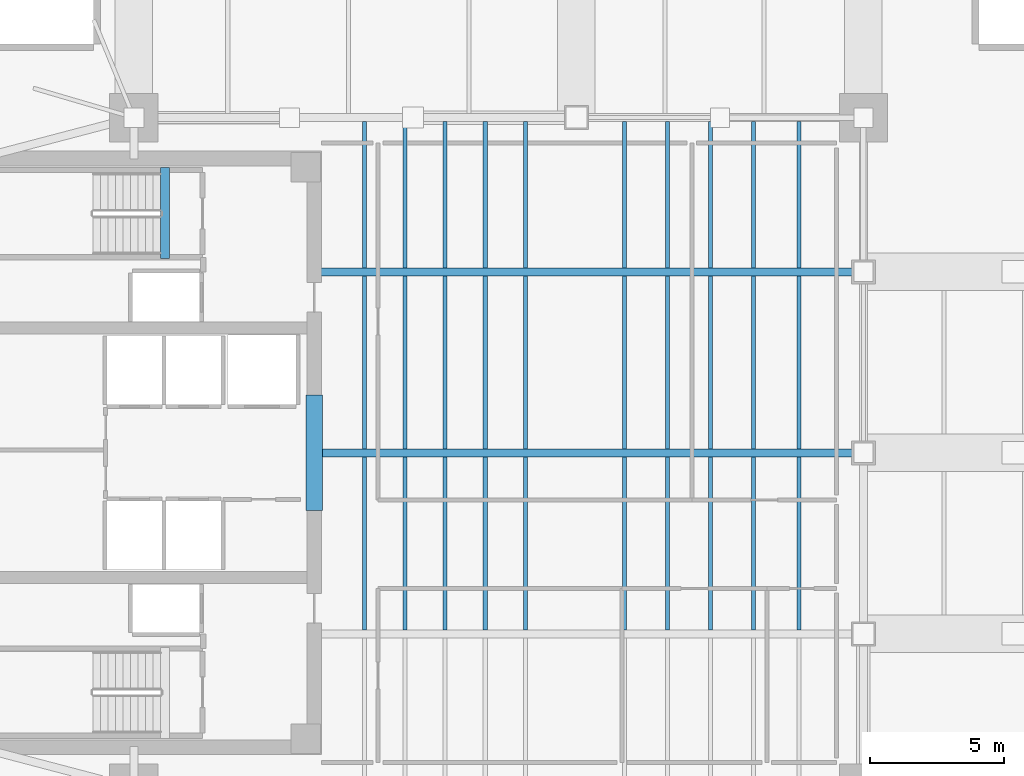
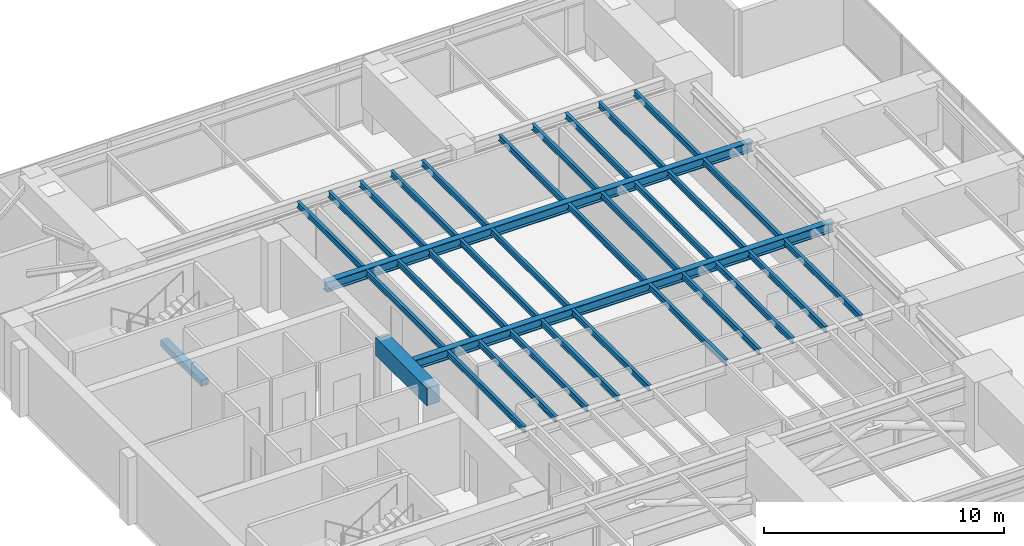
# One storey, part 3 of 13: 34 beams.
"""IFC4 building model written with IfcOpenShell, lengths in metres."""

from ifc_helpers import new_model, si_unit, direction, frame, origin, origin_2d, place, context, subcontext, project, spatial, rectangle, i_section, extrude, material, material_profile, profile_set, type_object, element, save


model = new_model("IFC4")

# Units and contexts
model_context = context("Model", 3, precision=1e-05, world=origin(), true_north=direction((0.0, 1.0)))
body_context = subcontext(model_context, "Body", "Model", "MODEL_VIEW")
ifc_project = project(units=[si_unit("LENGTHUNIT", "METRE"), si_unit("AREAUNIT", "SQUARE_METRE"), si_unit("VOLUMEUNIT", "CUBIC_METRE"), si_unit("PLANEANGLEUNIT", "RADIAN"), si_unit("MASSUNIT", "GRAM", prefix="KILO")], contexts=[model_context])

# Site, building, storey
site_placement = place(None, origin())
site = spatial("IfcSite", under=ifc_project, at=site_placement, CompositionType="ELEMENT")
building_placement = place(site_placement, origin())
building = spatial("IfcBuilding", under=site, at=building_placement, Name="Kinhvarn Gate Tower", CompositionType="ELEMENT")
storey_placement = place(building_placement, frame((0.0, 0.0, 241.300048828125)))
storey = spatial("IfcBuildingStorey", under=building, at=storey_placement, Name="L64", CompositionType="ELEMENT", Elevation=241.300048828125)

# Beams
ifc_material_1 = material(Name="Concrete C60/75", Category="concrete")
ifc_material_profile_1 = material_profile(ifc_material_1, rectangle(XDim=0.60009765625, YDim=0.89990234375, at=origin_2d()), Name="RC 600x900")
ifc_profile_set_1 = profile_set([ifc_material_profile_1], Name="Concrete C60/75")
beam_type_1 = type_object("IfcBeamType", Name="BM-CB-900", PredefinedType="LINTEL", material=ifc_profile_set_1)
beam_1_placement = place(storey_placement, frame((17.72509765625, 23.10009765625, 2.93994140625), z_axis=(0.0, 1.0, 0.0), x_axis=(-1.0, 0.0, 0.0)))
element("IfcBeam", 1, at=beam_1_placement, inside=storey, type_object=beam_type_1, Name="Core East Portal Coupling Beam L64", PredefinedType="LINTEL", context=body_context, shape_type="SweptSolid", body=[
    extrude(rectangle(XDim=0.60009765625, YDim=0.89990234375, at=origin_2d()), origin(), (0.0, 0.0, 1.0), 4.2998046875),
])
ifc_material_2 = material(Name="Concrete C50/60", Category="concrete")
ifc_material_profile_2 = material_profile(ifc_material_2, rectangle(XDim=0.340087890625, YDim=0.320068359375, at=origin_2d()), Name="RC 340x320")
ifc_profile_set_2 = profile_set([ifc_material_profile_2], Name="Concrete C50/60")
beam_type_2 = type_object("IfcBeamType", Name="BM-LND-500", PredefinedType="BEAM", material=ifc_profile_set_2)
beam_2_placement = place(storey_placement, frame((12.1650390625, 32.5, -0.16015625), z_axis=(0.0, 1.0, 0.0), x_axis=(-1.0, 0.0, 0.0)))
element("IfcBeam", 2, at=beam_2_placement, inside=storey, type_object=beam_type_2, Name="Stair ST2 Landing Nosing Beam (L64)", PredefinedType="BEAM", context=body_context, shape_type="SweptSolid", body=[
    extrude(rectangle(XDim=0.340087890625, YDim=0.320068359375, at=origin_2d()), origin(), (0.0, 0.0, 1.0), 3.39990234375),
])
ifc_material_3 = material(Name="Steel S355", Category="steel")
ifc_material_profile_3 = material_profile(ifc_material_3, i_section(OverallWidth=0.300048828125, OverallDepth=0.5, WebThickness=0.014404296875, FlangeThickness=0.028076171875, at=origin_2d()), Name="HEB 500")
ifc_profile_set_3 = profile_set([ifc_material_profile_3], Name="Steel S355")
beam_type_3 = type_object("IfcBeamType", Name="STL-HEB500", PredefinedType="BEAM", material=ifc_profile_set_3)
beam_3_placement = place(storey_placement, frame((18.02490234375, 25.25, 3.139892578125), z_axis=(1.0, 0.0, 0.0), x_axis=(0.0, 1.0, 0.0)))
element("IfcBeam", 3, at=beam_3_placement, inside=storey, type_object=beam_type_3, Name="Floor Beam PG-14 (L64 EW1-Y25)", PredefinedType="BEAM", context=body_context, shape_type="SweptSolid", body=[
    extrude(i_section(OverallWidth=0.300048828125, OverallDepth=0.5, WebThickness=0.014404296875, FlangeThickness=0.028076171875, at=origin_2d()), origin(), (0.0, 0.0, 1.0), 20.175048828125),
])
beam_4_placement = place(storey_placement, frame((17.64990234375, 32.0, 3.139892578125), z_axis=(1.0, 0.0, 0.0), x_axis=(0.0, 1.0, 0.0)))
element("IfcBeam", 4, at=beam_4_placement, inside=storey, type_object=beam_type_3, Name="Floor Beam PG-14 (L64 EW1-Y32)", PredefinedType="BEAM", context=body_context, shape_type="SweptSolid", body=[
    extrude(i_section(OverallWidth=0.300048828125, OverallDepth=0.5, WebThickness=0.014404296875, FlangeThickness=0.028076171875, at=origin_2d()), origin(), (0.0, 0.0, 1.0), 20.550048828125),
])
ifc_material_profile_4 = material_profile(ifc_material_3, i_section(OverallWidth=0.14990234375, OverallDepth=0.300048828125, WebThickness=0.007080078125, FlangeThickness=0.0107421875, at=origin_2d()), Name="IPE 300")
ifc_profile_set_4 = profile_set([ifc_material_profile_4], Name="Steel S355")
beam_type_4 = type_object("IfcBeamType", Name="STL-IPE300", PredefinedType="JOIST", material=ifc_profile_set_4)
for number, where, z_axis, x_axis, name in (
    (5, (19.60009765625, 18.64990234375, 3.239990234375), (0.0, 1.0, 0.0), (-1.0, 0.0, 0.0), "Floor Joist SB-02 (L64 JC-X196-1)"),
    (6, (19.60009765625, 25.39990234375, 3.239990234375), (0.0, 1.0, 0.0), (-1.0, 0.0, 0.0), "Floor Joist SB-02 (L64 JC-X196-2)"),
):
    element("IfcBeam", number, at=place(storey_placement, frame(where, z_axis=z_axis, x_axis=x_axis)), inside=storey, type_object=beam_type_4, Name=name, PredefinedType="JOIST", context=body_context, shape_type="SweptSolid", body=[
        extrude(i_section(OverallWidth=0.14990234375, OverallDepth=0.300048828125, WebThickness=0.007080078125, FlangeThickness=0.0107421875, at=origin_2d()), origin(), (0.0, 0.0, 1.0), 6.4501953125),
    ])
beam_5_placement = place(storey_placement, frame((19.60009765625, 32.14990234375, 3.239990234375), z_axis=(0.0, 1.0, 0.0), x_axis=(-1.0, 0.0, 0.0)))
element("IfcBeam", 7, at=beam_5_placement, inside=storey, type_object=beam_type_4, Name="Floor Joist SB-02 (L64 JC-X196-3)", PredefinedType="JOIST", context=body_context, shape_type="SweptSolid", body=[
    extrude(i_section(OverallWidth=0.14990234375, OverallDepth=0.300048828125, WebThickness=0.007080078125, FlangeThickness=0.0107421875, at=origin_2d()), origin(), (0.0, 0.0, 1.0), 5.4501953125),
])
for number, where, z_axis, x_axis, name in (
    (8, (21.10009765625, 18.64990234375, 3.239990234375), (0.0, 1.0, 0.0), (-1.0, 0.0, 0.0), "Floor Joist SB-02 (L64 JC-X211-1)"),
    (9, (21.10009765625, 25.39990234375, 3.239990234375), (0.0, 1.0, 0.0), (-1.0, 0.0, 0.0), "Floor Joist SB-02 (L64 JC-X211-2)"),
):
    element("IfcBeam", number, at=place(storey_placement, frame(where, z_axis=z_axis, x_axis=x_axis)), inside=storey, type_object=beam_type_4, Name=name, PredefinedType="JOIST", context=body_context, shape_type="SweptSolid", body=[
        extrude(i_section(OverallWidth=0.14990234375, OverallDepth=0.300048828125, WebThickness=0.007080078125, FlangeThickness=0.0107421875, at=origin_2d()), origin(), (0.0, 0.0, 1.0), 6.4501953125),
    ])
beam_6_placement = place(storey_placement, frame((21.10009765625, 32.14990234375, 3.239990234375), z_axis=(0.0, 1.0, 0.0), x_axis=(-1.0, 0.0, 0.0)))
element("IfcBeam", 10, at=beam_6_placement, inside=storey, type_object=beam_type_4, Name="Floor Joist SB-02 (L64 JC-X211-3)", PredefinedType="JOIST", context=body_context, shape_type="SweptSolid", body=[
    extrude(i_section(OverallWidth=0.14990234375, OverallDepth=0.300048828125, WebThickness=0.007080078125, FlangeThickness=0.0107421875, at=origin_2d()), origin(), (0.0, 0.0, 1.0), 5.4501953125),
])
for number, where, z_axis, x_axis, name in (
    (11, (22.60009765625, 18.64990234375, 3.239990234375), (0.0, 1.0, 0.0), (-1.0, 0.0, 0.0), "Floor Joist SB-02 (L64 JC-X226-1)"),
    (12, (22.60009765625, 25.39990234375, 3.239990234375), (0.0, 1.0, 0.0), (-1.0, 0.0, 0.0), "Floor Joist SB-02 (L64 JC-X226-2)"),
):
    element("IfcBeam", number, at=place(storey_placement, frame(where, z_axis=z_axis, x_axis=x_axis)), inside=storey, type_object=beam_type_4, Name=name, PredefinedType="JOIST", context=body_context, shape_type="SweptSolid", body=[
        extrude(i_section(OverallWidth=0.14990234375, OverallDepth=0.300048828125, WebThickness=0.007080078125, FlangeThickness=0.0107421875, at=origin_2d()), origin(), (0.0, 0.0, 1.0), 6.4501953125),
    ])
beam_7_placement = place(storey_placement, frame((22.60009765625, 32.14990234375, 3.239990234375), z_axis=(0.0, 1.0, 0.0), x_axis=(-1.0, 0.0, 0.0)))
element("IfcBeam", 13, at=beam_7_placement, inside=storey, type_object=beam_type_4, Name="Floor Joist SB-02 (L64 JC-X226-3)", PredefinedType="JOIST", context=body_context, shape_type="SweptSolid", body=[
    extrude(i_section(OverallWidth=0.14990234375, OverallDepth=0.300048828125, WebThickness=0.007080078125, FlangeThickness=0.0107421875, at=origin_2d()), origin(), (0.0, 0.0, 1.0), 5.4501953125),
])
for number, where, z_axis, x_axis, name in (
    (14, (24.10009765625, 18.64990234375, 3.239990234375), (0.0, 1.0, 0.0), (-1.0, 0.0, 0.0), "Floor Joist SB-02 (L64 JC-X241-1)"),
    (15, (24.10009765625, 25.39990234375, 3.239990234375), (0.0, 1.0, 0.0), (-1.0, 0.0, 0.0), "Floor Joist SB-02 (L64 JC-X241-2)"),
):
    element("IfcBeam", number, at=place(storey_placement, frame(where, z_axis=z_axis, x_axis=x_axis)), inside=storey, type_object=beam_type_4, Name=name, PredefinedType="JOIST", context=body_context, shape_type="SweptSolid", body=[
        extrude(i_section(OverallWidth=0.14990234375, OverallDepth=0.300048828125, WebThickness=0.007080078125, FlangeThickness=0.0107421875, at=origin_2d()), origin(), (0.0, 0.0, 1.0), 6.4501953125),
    ])
beam_8_placement = place(storey_placement, frame((24.10009765625, 32.14990234375, 3.239990234375), z_axis=(0.0, 1.0, 0.0), x_axis=(-1.0, 0.0, 0.0)))
element("IfcBeam", 16, at=beam_8_placement, inside=storey, type_object=beam_type_4, Name="Floor Joist SB-02 (L64 JC-X241-3)", PredefinedType="JOIST", context=body_context, shape_type="SweptSolid", body=[
    extrude(i_section(OverallWidth=0.14990234375, OverallDepth=0.300048828125, WebThickness=0.007080078125, FlangeThickness=0.0107421875, at=origin_2d()), origin(), (0.0, 0.0, 1.0), 5.4501953125),
])
for number, where, z_axis, x_axis, name in (
    (17, (25.60009765625, 18.64990234375, 3.239990234375), (0.0, 1.0, 0.0), (-1.0, 0.0, 0.0), "Floor Joist SB-02 (L64 JC-X256-1)"),
    (18, (25.60009765625, 25.39990234375, 3.239990234375), (0.0, 1.0, 0.0), (-1.0, 0.0, 0.0), "Floor Joist SB-02 (L64 JC-X256-2)"),
):
    element("IfcBeam", number, at=place(storey_placement, frame(where, z_axis=z_axis, x_axis=x_axis)), inside=storey, type_object=beam_type_4, Name=name, PredefinedType="JOIST", context=body_context, shape_type="SweptSolid", body=[
        extrude(i_section(OverallWidth=0.14990234375, OverallDepth=0.300048828125, WebThickness=0.007080078125, FlangeThickness=0.0107421875, at=origin_2d()), origin(), (0.0, 0.0, 1.0), 6.4501953125),
    ])
beam_9_placement = place(storey_placement, frame((25.60009765625, 32.14990234375, 3.239990234375), z_axis=(0.0, 1.0, 0.0), x_axis=(-1.0, 0.0, 0.0)))
element("IfcBeam", 19, at=beam_9_placement, inside=storey, type_object=beam_type_4, Name="Floor Joist SB-02 (L64 JC-X256-3)", PredefinedType="JOIST", context=body_context, shape_type="SweptSolid", body=[
    extrude(i_section(OverallWidth=0.14990234375, OverallDepth=0.300048828125, WebThickness=0.007080078125, FlangeThickness=0.0107421875, at=origin_2d()), origin(), (0.0, 0.0, 1.0), 5.4501953125),
])
for number, where, z_axis, x_axis, name in (
    (20, (29.300048828125, 18.64990234375, 3.239990234375), (0.0, 1.0, 0.0), (-1.0, 0.0, 0.0), "Floor Joist SB-02 (L64 JC-X293-1)"),
    (21, (29.300048828125, 25.39990234375, 3.239990234375), (0.0, 1.0, 0.0), (-1.0, 0.0, 0.0), "Floor Joist SB-02 (L64 JC-X293-2)"),
):
    element("IfcBeam", number, at=place(storey_placement, frame(where, z_axis=z_axis, x_axis=x_axis)), inside=storey, type_object=beam_type_4, Name=name, PredefinedType="JOIST", context=body_context, shape_type="SweptSolid", body=[
        extrude(i_section(OverallWidth=0.14990234375, OverallDepth=0.300048828125, WebThickness=0.007080078125, FlangeThickness=0.0107421875, at=origin_2d()), origin(), (0.0, 0.0, 1.0), 6.4501953125),
    ])
beam_10_placement = place(storey_placement, frame((29.300048828125, 32.14990234375, 3.239990234375), z_axis=(0.0, 1.0, 0.0), x_axis=(-1.0, 0.0, 0.0)))
element("IfcBeam", 22, at=beam_10_placement, inside=storey, type_object=beam_type_4, Name="Floor Joist SB-02 (L64 JC-X293-3)", PredefinedType="JOIST", context=body_context, shape_type="SweptSolid", body=[
    extrude(i_section(OverallWidth=0.14990234375, OverallDepth=0.300048828125, WebThickness=0.007080078125, FlangeThickness=0.0107421875, at=origin_2d()), origin(), (0.0, 0.0, 1.0), 5.4501953125),
])
for number, where, z_axis, x_axis, name in (
    (23, (30.89990234375, 18.64990234375, 3.239990234375), (0.0, 1.0, 0.0), (-1.0, 0.0, 0.0), "Floor Joist SB-02 (L64 JC-X309-1)"),
    (24, (30.89990234375, 25.39990234375, 3.239990234375), (0.0, 1.0, 0.0), (-1.0, 0.0, 0.0), "Floor Joist SB-02 (L64 JC-X309-2)"),
):
    element("IfcBeam", number, at=place(storey_placement, frame(where, z_axis=z_axis, x_axis=x_axis)), inside=storey, type_object=beam_type_4, Name=name, PredefinedType="JOIST", context=body_context, shape_type="SweptSolid", body=[
        extrude(i_section(OverallWidth=0.14990234375, OverallDepth=0.300048828125, WebThickness=0.007080078125, FlangeThickness=0.0107421875, at=origin_2d()), origin(), (0.0, 0.0, 1.0), 6.4501953125),
    ])
beam_11_placement = place(storey_placement, frame((30.89990234375, 32.14990234375, 3.239990234375), z_axis=(0.0, 1.0, 0.0), x_axis=(-1.0, 0.0, 0.0)))
element("IfcBeam", 25, at=beam_11_placement, inside=storey, type_object=beam_type_4, Name="Floor Joist SB-02 (L64 JC-X309-3)", PredefinedType="JOIST", context=body_context, shape_type="SweptSolid", body=[
    extrude(i_section(OverallWidth=0.14990234375, OverallDepth=0.300048828125, WebThickness=0.007080078125, FlangeThickness=0.0107421875, at=origin_2d()), origin(), (0.0, 0.0, 1.0), 5.4501953125),
])
for number, where, z_axis, x_axis, name in (
    (26, (32.5, 18.64990234375, 3.239990234375), (0.0, 1.0, 0.0), (-1.0, 0.0, 0.0), "Floor Joist SB-02 (L64 JC-X325-1)"),
    (27, (32.5, 25.39990234375, 3.239990234375), (0.0, 1.0, 0.0), (-1.0, 0.0, 0.0), "Floor Joist SB-02 (L64 JC-X325-2)"),
):
    element("IfcBeam", number, at=place(storey_placement, frame(where, z_axis=z_axis, x_axis=x_axis)), inside=storey, type_object=beam_type_4, Name=name, PredefinedType="JOIST", context=body_context, shape_type="SweptSolid", body=[
        extrude(i_section(OverallWidth=0.14990234375, OverallDepth=0.300048828125, WebThickness=0.007080078125, FlangeThickness=0.0107421875, at=origin_2d()), origin(), (0.0, 0.0, 1.0), 6.4501953125),
    ])
beam_12_placement = place(storey_placement, frame((32.5, 32.14990234375, 3.239990234375), z_axis=(0.0, 1.0, 0.0), x_axis=(-1.0, 0.0, 0.0)))
element("IfcBeam", 28, at=beam_12_placement, inside=storey, type_object=beam_type_4, Name="Floor Joist SB-02 (L64 JC-X325-3)", PredefinedType="JOIST", context=body_context, shape_type="SweptSolid", body=[
    extrude(i_section(OverallWidth=0.14990234375, OverallDepth=0.300048828125, WebThickness=0.007080078125, FlangeThickness=0.0107421875, at=origin_2d()), origin(), (0.0, 0.0, 1.0), 5.4501953125),
])
for number, where, z_axis, x_axis, name in (
    (29, (34.10009765625, 18.64990234375, 3.239990234375), (0.0, 1.0, 0.0), (-1.0, 0.0, 0.0), "Floor Joist SB-02 (L64 JC-X341-1)"),
    (30, (34.10009765625, 25.39990234375, 3.239990234375), (0.0, 1.0, 0.0), (-1.0, 0.0, 0.0), "Floor Joist SB-02 (L64 JC-X341-2)"),
):
    element("IfcBeam", number, at=place(storey_placement, frame(where, z_axis=z_axis, x_axis=x_axis)), inside=storey, type_object=beam_type_4, Name=name, PredefinedType="JOIST", context=body_context, shape_type="SweptSolid", body=[
        extrude(i_section(OverallWidth=0.14990234375, OverallDepth=0.300048828125, WebThickness=0.007080078125, FlangeThickness=0.0107421875, at=origin_2d()), origin(), (0.0, 0.0, 1.0), 6.4501953125),
    ])
beam_13_placement = place(storey_placement, frame((34.10009765625, 32.14990234375, 3.239990234375), z_axis=(0.0, 1.0, 0.0), x_axis=(-1.0, 0.0, 0.0)))
element("IfcBeam", 31, at=beam_13_placement, inside=storey, type_object=beam_type_4, Name="Floor Joist SB-02 (L64 JC-X341-3)", PredefinedType="JOIST", context=body_context, shape_type="SweptSolid", body=[
    extrude(i_section(OverallWidth=0.14990234375, OverallDepth=0.300048828125, WebThickness=0.007080078125, FlangeThickness=0.0107421875, at=origin_2d()), origin(), (0.0, 0.0, 1.0), 5.4501953125),
])
for number, where, z_axis, x_axis, name in (
    (32, (35.800048828125, 18.64990234375, 3.239990234375), (0.0, 1.0, 0.0), (-1.0, 0.0, 0.0), "Floor Joist SB-02 (L64 JC-X358-1)"),
    (33, (35.800048828125, 25.39990234375, 3.239990234375), (0.0, 1.0, 0.0), (-1.0, 0.0, 0.0), "Floor Joist SB-02 (L64 JC-X358-2)"),
):
    element("IfcBeam", number, at=place(storey_placement, frame(where, z_axis=z_axis, x_axis=x_axis)), inside=storey, type_object=beam_type_4, Name=name, PredefinedType="JOIST", context=body_context, shape_type="SweptSolid", body=[
        extrude(i_section(OverallWidth=0.14990234375, OverallDepth=0.300048828125, WebThickness=0.007080078125, FlangeThickness=0.0107421875, at=origin_2d()), origin(), (0.0, 0.0, 1.0), 6.4501953125),
    ])
beam_14_placement = place(storey_placement, frame((35.800048828125, 32.14990234375, 3.239990234375), z_axis=(0.0, 1.0, 0.0), x_axis=(-1.0, 0.0, 0.0)))
element("IfcBeam", 34, at=beam_14_placement, inside=storey, type_object=beam_type_4, Name="Floor Joist SB-02 (L64 JC-X358-3)", PredefinedType="JOIST", context=body_context, shape_type="SweptSolid", body=[
    extrude(i_section(OverallWidth=0.14990234375, OverallDepth=0.300048828125, WebThickness=0.007080078125, FlangeThickness=0.0107421875, at=origin_2d()), origin(), (0.0, 0.0, 1.0), 5.4501953125),
])

save(model, "model.ifc")
